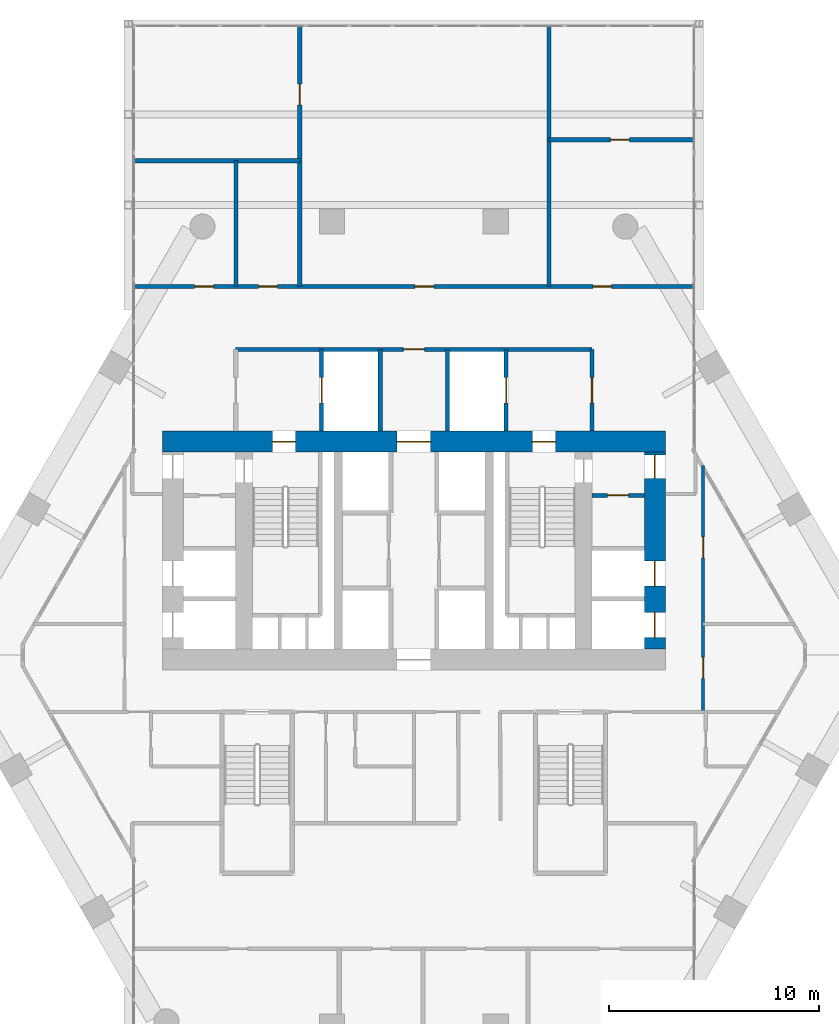
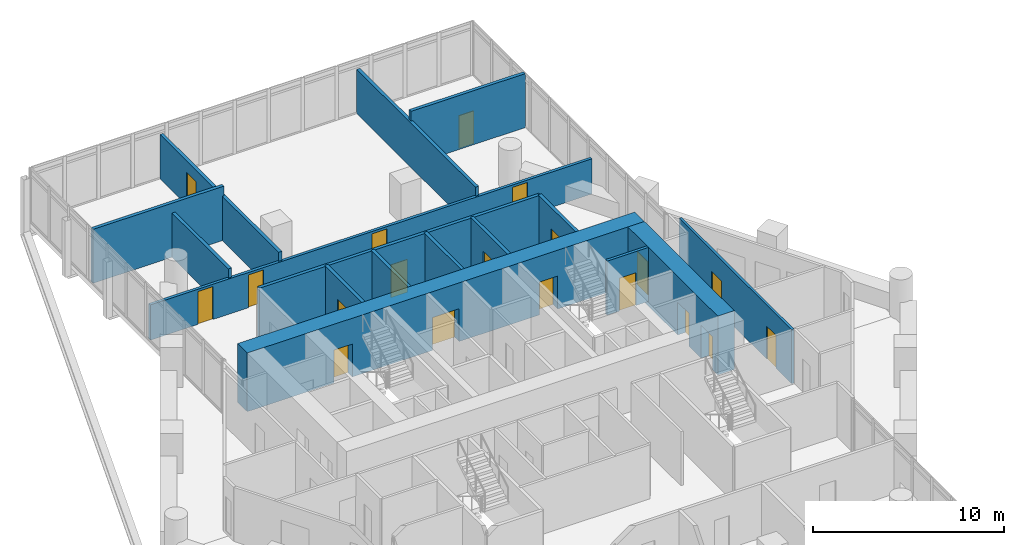
# One storey, part 33 of 37: 19 doors, 16 walls, 19 openings.
"""IFC4 building model written with IfcOpenShell, lengths in metres."""

from ifc_helpers import new_model, si_unit, direction, frame, frame_2d, origin, place, context, subcontext, project, spatial, rectangle, extrude, material, layer, layer_set, type_object, element, fill, save


model = new_model("IFC4")

# Units and contexts
model_context = context("Model", 3, precision=1e-05, world=origin(), true_north=direction((0.0, 1.0)))
body_context = subcontext(model_context, "Body", "Model", "MODEL_VIEW")
ifc_project = project(units=[si_unit("LENGTHUNIT", "METRE"), si_unit("AREAUNIT", "SQUARE_METRE"), si_unit("VOLUMEUNIT", "CUBIC_METRE"), si_unit("PLANEANGLEUNIT", "RADIAN"), si_unit("MASSUNIT", "GRAM", prefix="KILO")], contexts=[model_context])

# Site, building, storey
site_placement = place(None, origin())
site = spatial("IfcSite", under=ifc_project, at=site_placement, CompositionType="ELEMENT")
building_placement = place(site_placement, origin())
building = spatial("IfcBuilding", under=site, at=building_placement, Name="Ostrander Bayou Hotel Tower", CompositionType="ELEMENT")
storey_placement = place(building_placement, frame((0.0, 0.0, 131.0)))
storey = spatial("IfcBuildingStorey", under=building, at=storey_placement, Name="L32", CompositionType="ELEMENT", Elevation=131.0)

# Wall, openings, doors
ifc_material_1 = material(Name="Concrete f'c 70 MPa", Category="concrete")
ifc_layer_1 = layer(ifc_material_1, 1.0)
ifc_layer_set_1 = layer_set([ifc_layer_1], Name="CW4 core wall 1000 mm f'c 70 MPa")
wall_type_1 = type_object("IfcWallType", Name="CW4 core wall 1000 mm f'c 70 MPa", PredefinedType="SHEAR", material=ifc_layer_set_1)
wall_1_placement = place(storey_placement, frame((-12.0, 9.199951171875, -0.300048828125), z_axis=(0.0, 0.0, 1.0), x_axis=(1.0, 0.0, 0.0)))
wall_1 = element("IfcWall", 1, at=wall_1_placement, inside=storey, type_object=wall_type_1, Name="CW4 L32 N", PredefinedType="SHEAR", context=body_context, shape_type="SweptSolid", body=[
    extrude(rectangle(XDim=24.0, YDim=1.0, at=frame_2d((12.0, 0.0))), origin(), (0.0, 0.0, 1.0), 3.75),
])
opening_1_placement = place(wall_1_placement, frame((11.199951171875, 0.0, 0.0)))
opening_1 = element("IfcOpeningElement", 2, at=opening_1_placement, cuts=wall_1, Name="Opening T32-002", PredefinedType="OPENING", context=body_context, shape_type="SweptSolid", body=[
    extrude(rectangle(XDim=1.60009765625, YDim=2.10009765625, at=frame_2d((0.800048828125, 1.050048828125))), frame((0.0, 0.5, 0.0), z_axis=(0.0, -1.0, 0.0), x_axis=(1.0, 0.0, 0.0)), (0.0, 0.0, 1.0), 1.0),
])
opening_2_placement = place(wall_1_placement, frame((5.25, 0.0, 0.0)))
opening_2 = element("IfcOpeningElement", 3, at=opening_2_placement, cuts=wall_1, Name="Opening T32-003", PredefinedType="OPENING", context=body_context, shape_type="SweptSolid", body=[
    extrude(rectangle(XDim=1.10009765625, YDim=2.10009765625, at=frame_2d((0.550048828125, 1.050048828125))), frame((0.0, 0.5, 0.0), z_axis=(0.0, -1.0, 0.0), x_axis=(1.0, 0.0, 0.0)), (0.0, 0.0, 1.0), 1.0),
])
opening_3_placement = place(wall_1_placement, frame((17.64990234375, 0.0, 0.0)))
opening_3 = element("IfcOpeningElement", 4, at=opening_3_placement, cuts=wall_1, Name="Opening T32-005", PredefinedType="OPENING", context=body_context, shape_type="SweptSolid", body=[
    extrude(rectangle(XDim=1.10009765625, YDim=2.10009765625, at=frame_2d((0.550048828125, 1.050048828125))), frame((0.0, 0.5, 0.0), z_axis=(0.0, -1.0, 0.0), x_axis=(1.0, 0.0, 0.0)), (0.0, 0.0, 1.0), 1.0),
])
ifc_material_2 = material(Name="Timber door leaf", Category="wood")
door_type_1 = type_object("IfcDoorType", Name="D13 double door 1600 x 2100 mm, 1 hour", OperationType="SINGLE_SWING_LEFT", PredefinedType="DOOR", material=ifc_material_2)
door_1_placement = place(opening_1_placement, origin())
door_1 = element("IfcDoor", 5, at=door_1_placement, inside=storey, type_object=door_type_1, Name="dr:L32:002", OperationType="DOUBLE_DOOR_SINGLE_SWING", OverallHeight=2.10009765625, OverallWidth=1.60009765625, PredefinedType="DOOR", context=body_context, shape_type="SweptSolid", body=[
    extrude(rectangle(XDim=1.60009765625, YDim=2.10009765625, at=frame_2d((0.800048828125, 1.050048828125))), frame((0.0, 0.02490234375, 0.0), z_axis=(0.0, -1.0, 0.0), x_axis=(1.0, 0.0, 0.0)), (0.0, 0.0, 1.0), 0.050048828125),
])
fill(opening_1, door_1)
ifc_material_3 = material(Name="Timber door leaf", Category="wood")
door_type_2 = type_object("IfcDoorType", Name="D5 stair door 1100 x 2100 mm, 90 minute", OperationType="SINGLE_SWING_LEFT", PredefinedType="DOOR", material=ifc_material_3)
door_2_placement = place(opening_2_placement, origin())
door_2 = element("IfcDoor", 6, at=door_2_placement, inside=storey, type_object=door_type_2, Name="dr:L32:003", OperationType="SINGLE_SWING_LEFT", OverallHeight=2.10009765625, OverallWidth=1.10009765625, PredefinedType="DOOR", context=body_context, shape_type="SweptSolid", body=[
    extrude(rectangle(XDim=1.10009765625, YDim=2.10009765625, at=frame_2d((0.550048828125, 1.050048828125))), frame((0.0, 0.02490234375, 0.0), z_axis=(0.0, -1.0, 0.0), x_axis=(1.0, 0.0, 0.0)), (0.0, 0.0, 1.0), 0.050048828125),
])
fill(opening_2, door_2)
door_3_placement = place(opening_3_placement, origin())
door_3 = element("IfcDoor", 7, at=door_3_placement, inside=storey, type_object=door_type_2, Name="dr:L32:005", OperationType="SINGLE_SWING_RIGHT", OverallHeight=2.10009765625, OverallWidth=1.10009765625, PredefinedType="DOOR", context=body_context, shape_type="SweptSolid", body=[
    extrude(rectangle(XDim=1.10009765625, YDim=2.10009765625, at=frame_2d((0.550048828125, 1.050048828125))), frame((0.0, 0.02490234375, 0.0), z_axis=(0.0, -1.0, 0.0), x_axis=(1.0, 0.0, 0.0)), (0.0, 0.0, 1.0), 0.050048828125),
])
fill(opening_3, door_3)

wall_2_placement = place(storey_placement, frame((11.5, -0.699951171875, -0.300048828125), z_axis=(0.0, 0.0, 1.0), x_axis=(0.0, 1.0, 0.0)))
wall_2 = element("IfcWall", 8, at=wall_2_placement, inside=storey, type_object=wall_type_1, Name="CW4 L32 RE", PredefinedType="SHEAR", context=body_context, shape_type="SweptSolid", body=[
    extrude(rectangle(XDim=9.39990234375, YDim=1.0, at=frame_2d((4.699951171875, 0.0))), origin(), (0.0, 0.0, 1.0), 3.75),
])
opening_4_placement = place(wall_2_placement, frame((8.14990234375, 0.0, 0.0)))
opening_4 = element("IfcOpeningElement", 9, at=opening_4_placement, cuts=wall_2, Name="Opening T32-021", PredefinedType="OPENING", context=body_context, shape_type="SweptSolid", body=[
    extrude(rectangle(XDim=1.10009765625, YDim=2.10009765625, at=frame_2d((0.550048828125, 1.050048828125))), frame((0.0, 0.5, 0.0), z_axis=(0.0, -1.0, 0.0), x_axis=(1.0, 0.0, 0.0)), (0.0, 0.0, 1.0), 1.0),
])
opening_5_placement = place(wall_2_placement, frame((0.550048828125, 0.0, 0.0)))
opening_5 = element("IfcOpeningElement", 10, at=opening_5_placement, cuts=wall_2, Name="Opening T32-022", PredefinedType="OPENING", context=body_context, shape_type="SweptSolid", body=[
    extrude(rectangle(XDim=1.199951171875, YDim=2.10009765625, at=frame_2d((0.60009765625, 1.050048828125))), frame((0.0, 0.5, 0.0), z_axis=(0.0, -1.0, 0.0), x_axis=(1.0, 0.0, 0.0)), (0.0, 0.0, 1.0), 1.0),
])
opening_6_placement = place(wall_2_placement, frame((3.0, 0.0, 0.0)))
opening_6 = element("IfcOpeningElement", 11, at=opening_6_placement, cuts=wall_2, Name="Opening T32-023", PredefinedType="OPENING", context=body_context, shape_type="SweptSolid", body=[
    extrude(rectangle(XDim=1.199951171875, YDim=2.10009765625, at=frame_2d((0.60009765625, 1.050048828125))), frame((0.0, 0.5, 0.0), z_axis=(0.0, -1.0, 0.0), x_axis=(1.0, 0.0, 0.0)), (0.0, 0.0, 1.0), 1.0),
])
door_4_placement = place(opening_4_placement, origin())
door_4 = element("IfcDoor", 12, at=door_4_placement, inside=storey, type_object=door_type_2, Name="dr:L32:021", OperationType="SINGLE_SWING_RIGHT", OverallHeight=2.10009765625, OverallWidth=1.10009765625, PredefinedType="DOOR", context=body_context, shape_type="SweptSolid", body=[
    extrude(rectangle(XDim=1.10009765625, YDim=2.10009765625, at=frame_2d((0.550048828125, 1.050048828125))), frame((0.0, 0.02490234375, 0.0), z_axis=(0.0, -1.0, 0.0), x_axis=(1.0, 0.0, 0.0)), (0.0, 0.0, 1.0), 0.050048828125),
])
fill(opening_4, door_4)
ifc_material_4 = material(Name="Stainless steel sliding door", Category="steel")
door_type_3 = type_object("IfcDoorType", Name="LD1 lift landing door 1200 x 2100 mm", OperationType="SINGLE_SWING_LEFT", PredefinedType="DOOR", material=ifc_material_4)
door_5_placement = place(opening_5_placement, origin())
door_5 = element("IfcDoor", 13, at=door_5_placement, inside=storey, type_object=door_type_3, Name="dr:L32:022", OperationType="SLIDING_TO_LEFT", OverallHeight=2.10009765625, OverallWidth=1.199951171875, PredefinedType="DOOR", context=body_context, shape_type="SweptSolid", body=[
    extrude(rectangle(XDim=1.199951171875, YDim=2.10009765625, at=frame_2d((0.60009765625, 1.050048828125))), frame((0.0, 0.02490234375, 0.0), z_axis=(0.0, -1.0, 0.0), x_axis=(1.0, 0.0, 0.0)), (0.0, 0.0, 1.0), 0.050048828125),
])
fill(opening_5, door_5)
door_6_placement = place(opening_6_placement, origin())
door_6 = element("IfcDoor", 14, at=door_6_placement, inside=storey, type_object=door_type_3, Name="dr:L32:023", OperationType="SLIDING_TO_LEFT", OverallHeight=2.10009765625, OverallWidth=1.199951171875, PredefinedType="DOOR", context=body_context, shape_type="SweptSolid", body=[
    extrude(rectangle(XDim=1.199951171875, YDim=2.10009765625, at=frame_2d((0.60009765625, 1.050048828125))), frame((0.0, 0.02490234375, 0.0), z_axis=(0.0, -1.0, 0.0), x_axis=(1.0, 0.0, 0.0)), (0.0, 0.0, 1.0), 0.050048828125),
])
fill(opening_6, door_6)

# Wall
ifc_material_5 = material(Name="Gypsum board partition", Category="finish")
ifc_layer_2 = layer(ifc_material_5, 0.199951171875)
ifc_layer_set_2 = layer_set([ifc_layer_2], Name="PT3 demising wall 200 mm acoustic double stud, 1 hour")
wall_type_2 = type_object("IfcWallType", Name="PT3 demising wall 200 mm acoustic double stud, 1 hour", PredefinedType="PARTITIONING", material=ifc_layer_set_2)
wall_3_placement = place(storey_placement, frame((-13.34814453125, 22.60009765625, 0.0), z_axis=(0.0, 0.0, 1.0), x_axis=(1.0, 0.0, 0.0)))
element("IfcWall", 15, at=wall_3_placement, inside=storey, type_object=wall_type_2, Name="sw:L32:503", PredefinedType="PARTITIONING", context=body_context, shape_type="SweptSolid", body=[
    extrude(rectangle(XDim=7.906005859375, YDim=0.199951171875, at=frame_2d((3.953125, 0.0))), origin(), (0.0, 0.0, 1.0), 3.449951171875),
])

# Wall, opening, door
wall_4_placement = place(storey_placement, frame((6.442138671875, 23.60009765625, 0.0), z_axis=(0.0, 0.0, 1.0), x_axis=(1.0, 0.0, 0.0)))
wall_4 = element("IfcWall", 16, at=wall_4_placement, inside=storey, type_object=wall_type_2, Name="sw:L32:504", PredefinedType="PARTITIONING", context=body_context, shape_type="SweptSolid", body=[
    extrude(rectangle(XDim=6.906005859375, YDim=0.199951171875, at=frame_2d((3.453125, 0.0))), origin(), (0.0, 0.0, 1.0), 3.449951171875),
])
opening_7_placement = place(wall_4_placement, frame((2.93505859375, 0.0, 0.0)))
opening_7 = element("IfcOpeningElement", 17, at=opening_7_placement, cuts=wall_4, Name="Opening T32-1206", PredefinedType="OPENING", context=body_context, shape_type="SweptSolid", body=[
    extrude(rectangle(XDim=0.89990234375, YDim=2.10009765625, at=frame_2d((0.449951171875, 1.050048828125))), frame((0.0, 0.10009765625, 0.0), z_axis=(0.0, -1.0, 0.0), x_axis=(1.0, 0.0, 0.0)), (0.0, 0.0, 1.0), 0.199951171875),
])
ifc_material_6 = material(Name="Timber door leaf", Category="wood")
door_type_4 = type_object("IfcDoorType", Name="D8 room door 900 x 2100 mm", OperationType="SINGLE_SWING_LEFT", PredefinedType="DOOR", material=ifc_material_6)
door_7_placement = place(opening_7_placement, origin())
door_7 = element("IfcDoor", 18, at=door_7_placement, inside=storey, type_object=door_type_4, Name="dr:L32:1206", OperationType="SINGLE_SWING_RIGHT", OverallHeight=2.10009765625, OverallWidth=0.89990234375, PredefinedType="DOOR", context=body_context, shape_type="SweptSolid", body=[
    extrude(rectangle(XDim=0.89990234375, YDim=2.10009765625, at=frame_2d((0.449951171875, 1.050048828125))), frame((0.0, 0.02490234375, 0.0), z_axis=(0.0, -1.0, 0.0), x_axis=(1.0, 0.0, 0.0)), (0.0, 0.0, 1.0), 0.050048828125),
])
fill(opening_7, door_7)

# Wall
wall_5_placement = place(storey_placement, frame((-8.48193359375, 16.60009765625, 0.0), z_axis=(0.0, 0.0, 1.0), x_axis=(0.0, 1.0, 0.0)))
element("IfcWall", 19, at=wall_5_placement, inside=storey, type_object=wall_type_2, Name="sw:L32:505", PredefinedType="PARTITIONING", context=body_context, shape_type="SweptSolid", body=[
    extrude(rectangle(XDim=6.0, YDim=0.199951171875, at=frame_2d((3.0, 0.0))), origin(), (0.0, 0.0, 1.0), 2.828125),
])

# Wall, opening, door
wall_6_placement = place(storey_placement, frame((-5.44189453125, 16.60009765625, 0.0), z_axis=(0.0, 0.0, 1.0), x_axis=(0.0, 1.0, 0.0)))
wall_6 = element("IfcWall", 20, at=wall_6_placement, inside=storey, type_object=wall_type_2, Name="sw:L32:506", PredefinedType="PARTITIONING", context=body_context, shape_type="SweptSolid", body=[
    extrude(rectangle(XDim=12.41796875, YDim=0.199951171875, at=frame_2d((6.208984375, 0.0))), origin(), (0.0, 0.0, 1.0), 2.828125),
])
opening_8_placement = place(wall_6_placement, frame((8.653564453125, 0.0, 0.0)))
opening_8 = element("IfcOpeningElement", 21, at=opening_8_placement, cuts=wall_6, Name="Opening T32-1207", PredefinedType="OPENING", context=body_context, shape_type="SweptSolid", body=[
    extrude(rectangle(XDim=1.0, YDim=2.10009765625, at=frame_2d((0.5, 1.050048828125))), frame((0.0, 0.10009765625, 0.0), z_axis=(0.0, -1.0, 0.0), x_axis=(1.0, 0.0, 0.0)), (0.0, 0.0, 1.0), 0.199951171875),
])
ifc_material_7 = material(Name="Timber door leaf", Category="wood")
door_type_5 = type_object("IfcDoorType", Name="D9 service door 1000 x 2100 mm, 30 minute", OperationType="SINGLE_SWING_LEFT", PredefinedType="DOOR", material=ifc_material_7)
door_8_placement = place(opening_8_placement, origin())
door_8 = element("IfcDoor", 22, at=door_8_placement, inside=storey, type_object=door_type_5, Name="dr:L32:1207", OperationType="SINGLE_SWING_LEFT", OverallHeight=2.10009765625, OverallWidth=1.0, PredefinedType="DOOR", context=body_context, shape_type="SweptSolid", body=[
    extrude(rectangle(XDim=1.0, YDim=2.10009765625, at=frame_2d((0.5, 1.050048828125))), frame((0.0, 0.02490234375, 0.0), z_axis=(0.0, -1.0, 0.0), x_axis=(1.0, 0.0, 0.0)), (0.0, 0.0, 1.0), 0.050048828125),
])
fill(opening_8, door_8)

# Wall
wall_7_placement = place(storey_placement, frame((6.44189453125, 16.60009765625, 0.0), z_axis=(0.0, 0.0, 1.0), x_axis=(0.0, 1.0, 0.0)))
element("IfcWall", 23, at=wall_7_placement, inside=storey, type_object=wall_type_2, Name="sw:L32:510", PredefinedType="PARTITIONING", context=body_context, shape_type="SweptSolid", body=[
    extrude(rectangle(XDim=12.41796875, YDim=0.199951171875, at=frame_2d((6.208984375, 0.0))), origin(), (0.0, 0.0, 1.0), 2.828125),
])

# Wall, opening, door
ifc_material_8 = material(Name="Gypsum board partition", Category="finish")
ifc_layer_3 = layer(ifc_material_8, 0.175048828125)
ifc_layer_set_3 = layer_set([ifc_layer_3], Name="PT4 corridor wall 175 mm, 1 hour")
wall_type_3 = type_object("IfcWallType", Name="PT4 corridor wall 175 mm, 1 hour", PredefinedType="PARTITIONING", material=ifc_layer_set_3)
wall_8_placement = place(storey_placement, frame((8.5, 6.6298828125, 0.0), z_axis=(0.0, 0.0, 1.0), x_axis=(1.0, 0.0, 0.0)))
wall_8 = element("IfcWall", 24, at=wall_8_placement, inside=storey, type_object=wall_type_3, Name="cs:L32:039", PredefinedType="PARTITIONING", context=body_context, shape_type="SweptSolid", body=[
    extrude(rectangle(XDim=2.5, YDim=0.175048828125, at=frame_2d((1.25, 0.0))), origin(), (0.0, 0.0, 1.0), 3.449951171875),
])
opening_9_placement = place(wall_8_placement, frame((0.75, 0.0, 0.0)))
opening_9 = element("IfcOpeningElement", 25, at=opening_9_placement, cuts=wall_8, Name="Opening T32-020", PredefinedType="OPENING", context=body_context, shape_type="SweptSolid", body=[
    extrude(rectangle(XDim=1.0, YDim=2.10009765625, at=frame_2d((0.5, 1.050048828125))), frame((0.0, 0.08740234375, 0.0), z_axis=(0.0, -1.0, 0.0), x_axis=(1.0, 0.0, 0.0)), (0.0, 0.0, 1.0), 0.175048828125),
])
ifc_material_9 = material(Name="Timber door leaf", Category="wood")
door_type_6 = type_object("IfcDoorType", Name="D4 corridor door 1000 x 2100 mm, 1 hour", OperationType="SINGLE_SWING_LEFT", PredefinedType="DOOR", material=ifc_material_9)
door_9_placement = place(opening_9_placement, origin())
door_9 = element("IfcDoor", 26, at=door_9_placement, inside=storey, type_object=door_type_6, Name="dr:L32:020", OperationType="SINGLE_SWING_RIGHT", OverallHeight=2.10009765625, OverallWidth=1.0, PredefinedType="DOOR", context=body_context, shape_type="SweptSolid", body=[
    extrude(rectangle(XDim=1.0, YDim=2.10009765625, at=frame_2d((0.5, 1.050048828125))), frame((0.0, 0.02490234375, 0.0), z_axis=(0.0, -1.0, 0.0), x_axis=(1.0, 0.0, 0.0)), (0.0, 0.0, 1.0), 0.050048828125),
])
fill(opening_9, door_9)

# Wall, openings, doors
wall_9_placement = place(storey_placement, frame((-13.34814453125, 16.60009765625, 0.0), z_axis=(0.0, 0.0, 1.0), x_axis=(1.0, 0.0, 0.0)))
wall_9 = element("IfcWall", 27, at=wall_9_placement, inside=storey, type_object=wall_type_3, Name="sw:L32:501", PredefinedType="PARTITIONING", context=body_context, shape_type="SweptSolid", body=[
    extrude(rectangle(XDim=26.6962890625, YDim=0.175048828125, at=frame_2d((13.34814453125, 0.0))), origin(), (0.0, 0.0, 1.0), 2.25),
])
opening_10_placement = place(wall_9_placement, frame((21.885498046875, 0.0, 0.0)))
opening_10 = element("IfcOpeningElement", 28, at=opening_10_placement, cuts=wall_9, Name="Opening T32-1205", PredefinedType="OPENING", context=body_context, shape_type="SweptSolid", body=[
    extrude(rectangle(XDim=0.89990234375, YDim=2.10009765625, at=frame_2d((0.449951171875, 1.050048828125))), frame((0.0, 0.08740234375, 0.0), z_axis=(0.0, -1.0, 0.0), x_axis=(1.0, 0.0, 0.0)), (0.0, 0.0, 1.0), 0.175048828125),
])
opening_11_placement = place(wall_9_placement, frame((2.89111328125, 0.0, 0.0)))
opening_11 = element("IfcOpeningElement", 29, at=opening_11_placement, cuts=wall_9, Name="Opening T32-1208", PredefinedType="OPENING", context=body_context, shape_type="SweptSolid", body=[
    extrude(rectangle(XDim=0.89990234375, YDim=2.10009765625, at=frame_2d((0.449951171875, 1.050048828125))), frame((0.0, 0.08740234375, 0.0), z_axis=(0.0, -1.0, 0.0), x_axis=(1.0, 0.0, 0.0)), (0.0, 0.0, 1.0), 0.175048828125),
])
opening_12_placement = place(wall_9_placement, frame((5.93603515625, 0.0, 0.0)))
opening_12 = element("IfcOpeningElement", 30, at=opening_12_placement, cuts=wall_9, Name="Opening T32-1209", PredefinedType="OPENING", context=body_context, shape_type="SweptSolid", body=[
    extrude(rectangle(XDim=0.89990234375, YDim=2.10009765625, at=frame_2d((0.449951171875, 1.050048828125))), frame((0.0, 0.08740234375, 0.0), z_axis=(0.0, -1.0, 0.0), x_axis=(1.0, 0.0, 0.0)), (0.0, 0.0, 1.0), 0.175048828125),
])
opening_13_placement = place(wall_9_placement, frame((13.398193359375, 0.0, 0.0)))
opening_13 = element("IfcOpeningElement", 31, at=opening_13_placement, cuts=wall_9, Name="Opening T32-1210", PredefinedType="OPENING", context=body_context, shape_type="SweptSolid", body=[
    extrude(rectangle(XDim=0.89990234375, YDim=2.10009765625, at=frame_2d((0.449951171875, 1.050048828125))), frame((0.0, 0.08740234375, 0.0), z_axis=(0.0, -1.0, 0.0), x_axis=(1.0, 0.0, 0.0)), (0.0, 0.0, 1.0), 0.175048828125),
])
door_10_placement = place(opening_10_placement, origin())
door_10 = element("IfcDoor", 32, at=door_10_placement, inside=storey, type_object=door_type_4, Name="dr:L32:1205", OperationType="SINGLE_SWING_LEFT", OverallHeight=2.10009765625, OverallWidth=0.89990234375, PredefinedType="DOOR", context=body_context, shape_type="SweptSolid", body=[
    extrude(rectangle(XDim=0.89990234375, YDim=2.10009765625, at=frame_2d((0.449951171875, 1.050048828125))), frame((0.0, 0.02490234375, 0.0), z_axis=(0.0, -1.0, 0.0), x_axis=(1.0, 0.0, 0.0)), (0.0, 0.0, 1.0), 0.050048828125),
])
fill(opening_10, door_10)
door_11_placement = place(opening_11_placement, origin())
door_11 = element("IfcDoor", 33, at=door_11_placement, inside=storey, type_object=door_type_4, Name="dr:L32:1208", OperationType="SINGLE_SWING_RIGHT", OverallHeight=2.10009765625, OverallWidth=0.89990234375, PredefinedType="DOOR", context=body_context, shape_type="SweptSolid", body=[
    extrude(rectangle(XDim=0.89990234375, YDim=2.10009765625, at=frame_2d((0.449951171875, 1.050048828125))), frame((0.0, 0.02490234375, 0.0), z_axis=(0.0, -1.0, 0.0), x_axis=(1.0, 0.0, 0.0)), (0.0, 0.0, 1.0), 0.050048828125),
])
fill(opening_11, door_11)
door_12_placement = place(opening_12_placement, origin())
door_12 = element("IfcDoor", 34, at=door_12_placement, inside=storey, type_object=door_type_4, Name="dr:L32:1209", OperationType="SINGLE_SWING_LEFT", OverallHeight=2.10009765625, OverallWidth=0.89990234375, PredefinedType="DOOR", context=body_context, shape_type="SweptSolid", body=[
    extrude(rectangle(XDim=0.89990234375, YDim=2.10009765625, at=frame_2d((0.449951171875, 1.050048828125))), frame((0.0, 0.02490234375, 0.0), z_axis=(0.0, -1.0, 0.0), x_axis=(1.0, 0.0, 0.0)), (0.0, 0.0, 1.0), 0.050048828125),
])
fill(opening_12, door_12)
door_13_placement = place(opening_13_placement, origin())
door_13 = element("IfcDoor", 35, at=door_13_placement, inside=storey, type_object=door_type_4, Name="dr:L32:1210", OperationType="SINGLE_SWING_RIGHT", OverallHeight=2.10009765625, OverallWidth=0.89990234375, PredefinedType="DOOR", context=body_context, shape_type="SweptSolid", body=[
    extrude(rectangle(XDim=0.89990234375, YDim=2.10009765625, at=frame_2d((0.449951171875, 1.050048828125))), frame((0.0, 0.02490234375, 0.0), z_axis=(0.0, -1.0, 0.0), x_axis=(1.0, 0.0, 0.0)), (0.0, 0.0, 1.0), 0.050048828125),
])
fill(opening_13, door_13)

# Wall, opening, door
ifc_material_10 = material(Name="Masonry block", Category="masonry")
ifc_layer_4 = layer(ifc_material_10, 0.199951171875)
ifc_layer_set_4 = layer_set([ifc_layer_4], Name="PT5 stair enclosure wall 200 mm masonry, 2 hour")
wall_type_4 = type_object("IfcWallType", Name="PT5 stair enclosure wall 200 mm masonry, 2 hour", PredefinedType="PARTITIONING", material=ifc_layer_set_4)
wall_10_placement = place(storey_placement, frame((-8.5, 13.60009765625, 0.0), z_axis=(0.0, 0.0, 1.0), x_axis=(1.0, 0.0, 0.0)))
wall_10 = element("IfcWall", 36, at=wall_10_placement, inside=storey, type_object=wall_type_4, Name="cs:L32:025", PredefinedType="PARTITIONING", context=body_context, shape_type="SweptSolid", body=[
    extrude(rectangle(XDim=17.0, YDim=0.199951171875, at=frame_2d((8.5, 0.0))), origin(), (0.0, 0.0, 1.0), 3.449951171875),
])
opening_14_placement = place(wall_10_placement, frame((8.0, 0.0, 0.0)))
opening_14 = element("IfcOpeningElement", 37, at=opening_14_placement, cuts=wall_10, Name="Opening T32-013", PredefinedType="OPENING", context=body_context, shape_type="SweptSolid", body=[
    extrude(rectangle(XDim=1.0, YDim=2.10009765625, at=frame_2d((0.5, 1.050048828125))), frame((0.0, 0.10009765625, 0.0), z_axis=(0.0, -1.0, 0.0), x_axis=(1.0, 0.0, 0.0)), (0.0, 0.0, 1.0), 0.199951171875),
])
door_14_placement = place(opening_14_placement, origin())
door_14 = element("IfcDoor", 38, at=door_14_placement, inside=storey, type_object=door_type_5, Name="dr:L32:013", OperationType="SINGLE_SWING_LEFT", OverallHeight=2.10009765625, OverallWidth=1.0, PredefinedType="DOOR", context=body_context, shape_type="SweptSolid", body=[
    extrude(rectangle(XDim=1.0, YDim=2.10009765625, at=frame_2d((0.5, 1.050048828125))), frame((0.0, 0.02490234375, 0.0), z_axis=(0.0, -1.0, 0.0), x_axis=(1.0, 0.0, 0.0)), (0.0, 0.0, 1.0), 0.050048828125),
])
fill(opening_14, door_14)

wall_11_placement = place(storey_placement, frame((8.5, 9.699951171875, 0.0), z_axis=(0.0, 0.0, 1.0), x_axis=(0.0, 1.0, 0.0)))
wall_11 = element("IfcWall", 39, at=wall_11_placement, inside=storey, type_object=wall_type_4, Name="cs:L32:027", PredefinedType="PARTITIONING", context=body_context, shape_type="SweptSolid", body=[
    extrude(rectangle(XDim=3.900146484375, YDim=0.199951171875, at=frame_2d((1.9501953125, 0.0))), origin(), (0.0, 0.0, 1.0), 3.449951171875),
])
opening_15_placement = place(wall_11_placement, frame((1.35009765625, 0.0, 0.0)))
opening_15 = element("IfcOpeningElement", 40, at=opening_15_placement, cuts=wall_11, Name="Opening T32-012", PredefinedType="OPENING", context=body_context, shape_type="SweptSolid", body=[
    extrude(rectangle(XDim=1.199951171875, YDim=2.10009765625, at=frame_2d((0.60009765625, 1.050048828125))), frame((0.0, 0.10009765625, 0.0), z_axis=(0.0, -1.0, 0.0), x_axis=(1.0, 0.0, 0.0)), (0.0, 0.0, 1.0), 0.199951171875),
])
ifc_material_11 = material(Name="Timber door leaf", Category="wood")
door_type_7 = type_object("IfcDoorType", Name="D7 lobby door 1200 x 2100 mm, 1 hour", OperationType="SINGLE_SWING_LEFT", PredefinedType="DOOR", material=ifc_material_11)
door_15_placement = place(opening_15_placement, origin())
door_15 = element("IfcDoor", 41, at=door_15_placement, inside=storey, type_object=door_type_7, Name="dr:L32:012", OperationType="SINGLE_SWING_LEFT", OverallHeight=2.10009765625, OverallWidth=1.199951171875, PredefinedType="DOOR", context=body_context, shape_type="SweptSolid", body=[
    extrude(rectangle(XDim=1.199951171875, YDim=2.10009765625, at=frame_2d((0.60009765625, 1.050048828125))), frame((0.0, 0.02490234375, 0.0), z_axis=(0.0, -1.0, 0.0), x_axis=(1.0, 0.0, 0.0)), (0.0, 0.0, 1.0), 0.050048828125),
])
fill(opening_15, door_15)

wall_12_placement = place(storey_placement, frame((-4.39990234375, 9.699951171875, 0.0), z_axis=(0.0, 0.0, 1.0), x_axis=(0.0, 1.0, 0.0)))
wall_12 = element("IfcWall", 42, at=wall_12_placement, inside=storey, type_object=wall_type_4, Name="cs:L32:028", PredefinedType="PARTITIONING", context=body_context, shape_type="SweptSolid", body=[
    extrude(rectangle(XDim=3.900146484375, YDim=0.199951171875, at=frame_2d((1.9501953125, 0.0))), origin(), (0.0, 0.0, 1.0), 3.449951171875),
])
opening_16_placement = place(wall_12_placement, frame((1.35009765625, 0.0, 0.0)))
opening_16 = element("IfcOpeningElement", 43, at=opening_16_placement, cuts=wall_12, Name="Opening T32-009", PredefinedType="OPENING", context=body_context, shape_type="SweptSolid", body=[
    extrude(rectangle(XDim=1.199951171875, YDim=2.10009765625, at=frame_2d((0.60009765625, 1.050048828125))), frame((0.0, 0.10009765625, 0.0), z_axis=(0.0, -1.0, 0.0), x_axis=(1.0, 0.0, 0.0)), (0.0, 0.0, 1.0), 0.199951171875),
])
door_16_placement = place(opening_16_placement, origin())
door_16 = element("IfcDoor", 44, at=door_16_placement, inside=storey, type_object=door_type_3, Name="dr:L32:009", OperationType="SLIDING_TO_LEFT", OverallHeight=2.10009765625, OverallWidth=1.199951171875, PredefinedType="DOOR", context=body_context, shape_type="SweptSolid", body=[
    extrude(rectangle(XDim=1.199951171875, YDim=2.10009765625, at=frame_2d((0.60009765625, 1.050048828125))), frame((0.0, 0.02490234375, 0.0), z_axis=(0.0, -1.0, 0.0), x_axis=(1.0, 0.0, 0.0)), (0.0, 0.0, 1.0), 0.050048828125),
])
fill(opening_16, door_16)

wall_13_placement = place(storey_placement, frame((4.39990234375, 9.699951171875, 0.0), z_axis=(0.0, 0.0, 1.0), x_axis=(0.0, 1.0, 0.0)))
wall_13 = element("IfcWall", 45, at=wall_13_placement, inside=storey, type_object=wall_type_4, Name="cs:L32:029", PredefinedType="PARTITIONING", context=body_context, shape_type="SweptSolid", body=[
    extrude(rectangle(XDim=3.900146484375, YDim=0.199951171875, at=frame_2d((1.9501953125, 0.0))), origin(), (0.0, 0.0, 1.0), 3.449951171875),
])
opening_17_placement = place(wall_13_placement, frame((1.35009765625, 0.0, 0.0)))
opening_17 = element("IfcOpeningElement", 46, at=opening_17_placement, cuts=wall_13, Name="Opening T32-011", PredefinedType="OPENING", context=body_context, shape_type="SweptSolid", body=[
    extrude(rectangle(XDim=1.199951171875, YDim=2.10009765625, at=frame_2d((0.60009765625, 1.050048828125))), frame((0.0, 0.10009765625, 0.0), z_axis=(0.0, -1.0, 0.0), x_axis=(1.0, 0.0, 0.0)), (0.0, 0.0, 1.0), 0.199951171875),
])
door_17_placement = place(opening_17_placement, origin())
door_17 = element("IfcDoor", 47, at=door_17_placement, inside=storey, type_object=door_type_3, Name="dr:L32:011", OperationType="SLIDING_TO_LEFT", OverallHeight=2.10009765625, OverallWidth=1.199951171875, PredefinedType="DOOR", context=body_context, shape_type="SweptSolid", body=[
    extrude(rectangle(XDim=1.199951171875, YDim=2.10009765625, at=frame_2d((0.60009765625, 1.050048828125))), frame((0.0, 0.02490234375, 0.0), z_axis=(0.0, -1.0, 0.0), x_axis=(1.0, 0.0, 0.0)), (0.0, 0.0, 1.0), 0.050048828125),
])
fill(opening_17, door_17)

# Walls
ifc_material_12 = material(Name="Masonry block", Category="masonry")
ifc_layer_5 = layer(ifc_material_12, 0.199951171875)
ifc_layer_set_5 = layer_set([ifc_layer_5], Name="PT6 lift shaft wall 200 mm masonry, 2 hour")
wall_type_5 = type_object("IfcWallType", Name="PT6 lift shaft wall 200 mm masonry, 2 hour", PredefinedType="PARTITIONING", material=ifc_layer_set_5)
for number, where, z_axis, x_axis, name in (
    (48, (-1.60009765625, 9.699951171875, 0.0), (0.0, 0.0, 1.0), (0.0, 1.0, 0.0), "cs:L32:030"),
    (49, (1.60009765625, 9.699951171875, 0.0), (0.0, 0.0, 1.0), (0.0, 1.0, 0.0), "cs:L32:031"),
):
    element("IfcWall", number, at=place(storey_placement, frame(where, z_axis=z_axis, x_axis=x_axis)), inside=storey, type_object=wall_type_5, Name=name, PredefinedType="PARTITIONING", context=body_context, shape_type="SweptSolid", body=[
        extrude(rectangle(XDim=3.900146484375, YDim=0.199951171875, at=frame_2d((1.9501953125, 0.0))), origin(), (0.0, 0.0, 1.0), 3.449951171875),
    ])

# Wall, openings, doors
ifc_material_13 = material(Name="Gypsum board partition", Category="finish")
ifc_layer_6 = layer(ifc_material_13, 0.14990234375)
ifc_layer_set_6 = layer_set([ifc_layer_6], Name="PT8 service band wall 150 mm, 1 hour")
wall_type_6 = type_object("IfcWallType", Name="PT8 service band wall 150 mm, 1 hour", PredefinedType="PARTITIONING", material=ifc_layer_set_6)
wall_14_placement = place(storey_placement, frame((13.800048828125, -3.699951171875, 0.0), z_axis=(0.0, 0.0, 1.0), x_axis=(0.0, 1.0, 0.0)))
wall_14 = element("IfcWall", 50, at=wall_14_placement, inside=storey, type_object=wall_type_6, Name="gw:L32:016", PredefinedType="PARTITIONING", context=body_context, shape_type="SweptSolid", body=[
    extrude(rectangle(XDim=11.751953125, YDim=0.14990234375, at=frame_2d((5.8759765625, 0.0))), origin(), (0.0, 0.0, 1.0), 3.449951171875),
])
opening_18_placement = place(wall_14_placement, frame((1.60009765625, 0.0, 0.0)))
opening_18 = element("IfcOpeningElement", 51, at=opening_18_placement, cuts=wall_14, Name="Opening T32-410", PredefinedType="OPENING", context=body_context, shape_type="SweptSolid", body=[
    extrude(rectangle(XDim=1.0, YDim=2.10009765625, at=frame_2d((0.5, 1.050048828125))), frame((0.0, 0.074951171875, 0.0), z_axis=(0.0, -1.0, 0.0), x_axis=(1.0, 0.0, 0.0)), (0.0, 0.0, 1.0), 0.14990234375),
])
opening_19_placement = place(wall_14_placement, frame((7.35302734375, 0.0, 0.0)))
opening_19 = element("IfcOpeningElement", 52, at=opening_19_placement, cuts=wall_14, Name="Opening T32-411", PredefinedType="OPENING", context=body_context, shape_type="SweptSolid", body=[
    extrude(rectangle(XDim=1.0, YDim=2.10009765625, at=frame_2d((0.5, 1.050048828125))), frame((0.0, 0.074951171875, 0.0), z_axis=(0.0, -1.0, 0.0), x_axis=(1.0, 0.0, 0.0)), (0.0, 0.0, 1.0), 0.14990234375),
])
ifc_material_14 = material(Name="Timber door leaf", Category="wood")
door_type_8 = type_object("IfcDoorType", Name="D15 room door 1000 x 2100 mm", OperationType="SINGLE_SWING_LEFT", PredefinedType="DOOR", material=ifc_material_14)
door_18_placement = place(opening_18_placement, origin())
door_18 = element("IfcDoor", 53, at=door_18_placement, inside=storey, type_object=door_type_8, Name="dr:L32:410", OperationType="SINGLE_SWING_LEFT", OverallHeight=2.10009765625, OverallWidth=1.0, PredefinedType="DOOR", context=body_context, shape_type="SweptSolid", body=[
    extrude(rectangle(XDim=1.0, YDim=2.10009765625, at=frame_2d((0.5, 1.050048828125))), frame((0.0, 0.02490234375, 0.0), z_axis=(0.0, -1.0, 0.0), x_axis=(1.0, 0.0, 0.0)), (0.0, 0.0, 1.0), 0.050048828125),
])
fill(opening_18, door_18)
door_19_placement = place(opening_19_placement, origin())
door_19 = element("IfcDoor", 54, at=door_19_placement, inside=storey, type_object=door_type_5, Name="dr:L32:411", OperationType="SINGLE_SWING_LEFT", OverallHeight=2.10009765625, OverallWidth=1.0, PredefinedType="DOOR", context=body_context, shape_type="SweptSolid", body=[
    extrude(rectangle(XDim=1.0, YDim=2.10009765625, at=frame_2d((0.5, 1.050048828125))), frame((0.0, 0.02490234375, 0.0), z_axis=(0.0, -1.0, 0.0), x_axis=(1.0, 0.0, 0.0)), (0.0, 0.0, 1.0), 0.050048828125),
])
fill(opening_19, door_19)

save(model, "model.ifc")
